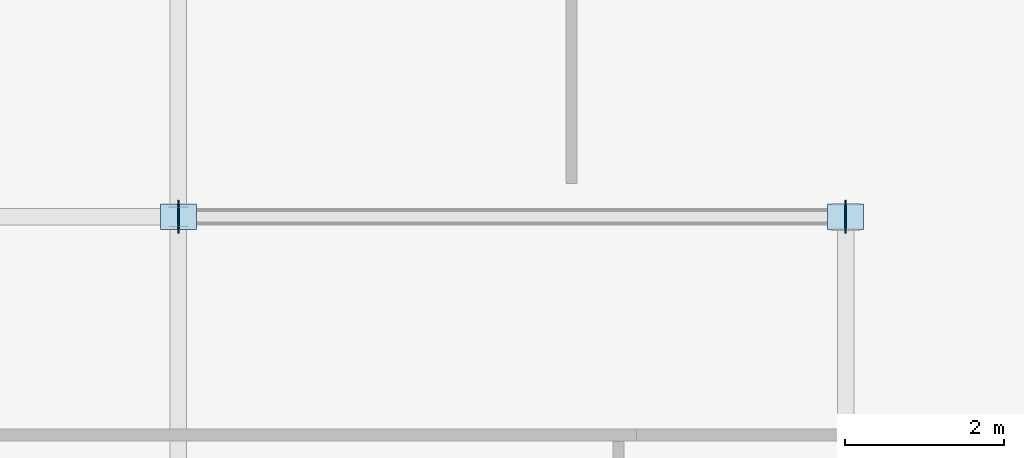
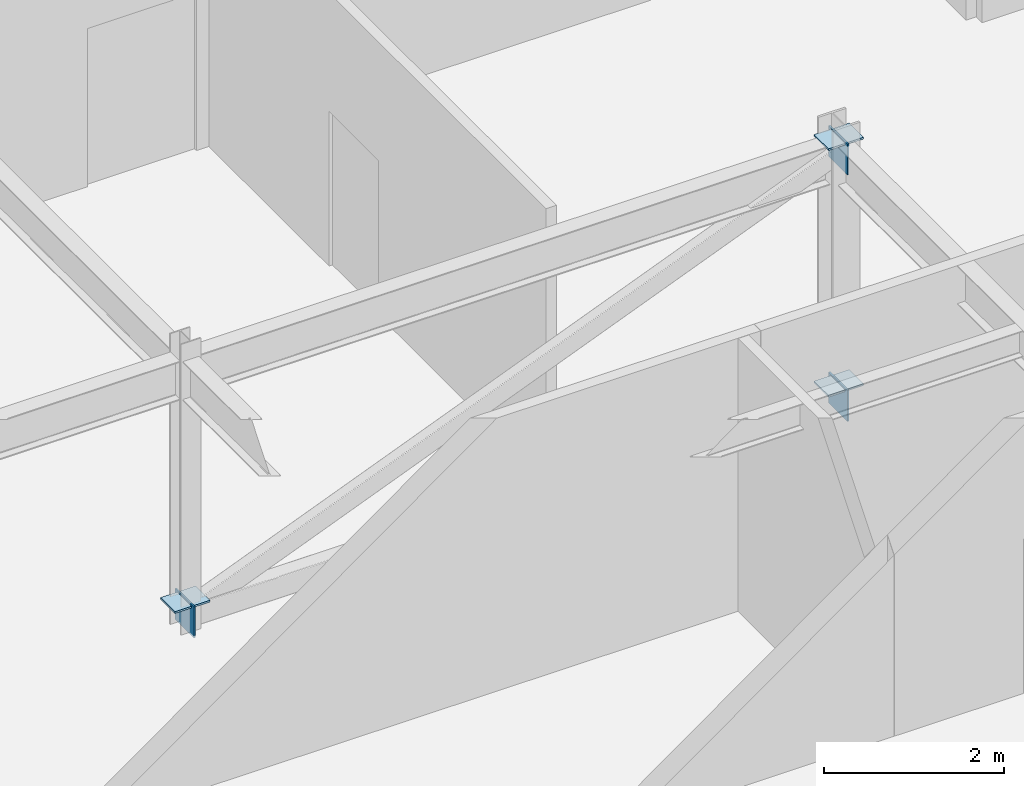
# One storey, part 10 of 16: 6 plates.
"""IFC4 building model written with IfcOpenShell, lengths in metres."""

from ifc_helpers import new_model, si_unit, direction, frame, origin, origin_2d, place, context, subcontext, project, spatial, rectangle, extrude, material, layer, layer_set, type_object, element, save


model = new_model("IFC4")

# Units and contexts
model_context = context("Model", 3, precision=1e-05, world=origin(), true_north=direction((0.0, 1.0)))
body_context = subcontext(model_context, "Body", "Model", "MODEL_VIEW")
ifc_project = project(units=[si_unit("LENGTHUNIT", "METRE"), si_unit("AREAUNIT", "SQUARE_METRE"), si_unit("VOLUMEUNIT", "CUBIC_METRE"), si_unit("PLANEANGLEUNIT", "RADIAN"), si_unit("MASSUNIT", "GRAM", prefix="KILO")], contexts=[model_context])

# Site, building, storey
site_placement = place(None, origin())
site = spatial("IfcSite", under=ifc_project, at=site_placement, CompositionType="ELEMENT")
building_placement = place(site_placement, origin())
building = spatial("IfcBuilding", under=site, at=building_placement, Name="Varnakote Quay Hospital", CompositionType="ELEMENT")
storey_placement = place(building_placement, frame((0.0, 0.0, 272.35009765625)))
storey = spatial("IfcBuildingStorey", under=building, at=storey_placement, Name="L67", CompositionType="ELEMENT", Elevation=272.35009765625)

# Plates
ifc_material_1 = material(Name="Structural steel AS/NZS 3678 Grade 350 (fy 340 MPa)", Category="steel")
ifc_layer_1 = layer(ifc_material_1, 0.02001953125)
ifc_layer_set_1 = layer_set([ifc_layer_1], Name="Structural steel AS/NZS 3678 Grade 350 (fy 340 MPa)")
plate_type_1 = type_object("IfcPlateType", Name="PLT-ENDCAP-420x420x20", PredefinedType="USERDEFINED", material=ifc_layer_set_1)
for number, where, z_axis, x_axis, name in (
    (1, (25.199951171875, 20.39990234375, -0.030029296875), (0.0, 0.0, 1.0), (1.0, 0.0, 0.0), "L67 Hollow Section Sealed End Cap Plate"),
    (2, (33.60009765625, 20.39990234375, -0.030029296875), (0.0, 0.0, 1.0), (1.0, 0.0, 0.0), "L67 Hollow Section Sealed End Cap Plate"),
    (3, (33.60009765625, 20.39990234375, 3.31982421875), (0.0, 0.0, 1.0), (1.0, 0.0, 0.0), "L67 Hollow Section Sealed End Cap Plate"),
):
    element("IfcPlate", number, at=place(storey_placement, frame(where, z_axis=z_axis, x_axis=x_axis)), inside=storey, type_object=plate_type_1, Name=name, ObjectType="END_CAP_PLATE", PredefinedType="USERDEFINED", context=body_context, shape_type="SweptSolid", body=[
        extrude(rectangle(XDim=0.02001953125, YDim=0.419921875, at=origin_2d()), origin(), (0.0, 0.0, 1.0), 0.419921875),
    ])
ifc_material_2 = material(Name="Structural steel AS/NZS 3678 Grade 350 (fy 340 MPa)", Category="steel")
ifc_layer_2 = layer(ifc_material_2, 0.02490234375)
ifc_layer_set_2 = layer_set([ifc_layer_2], Name="Structural steel AS/NZS 3678 Grade 350 (fy 340 MPa)")
plate_type_2 = type_object("IfcPlateType", Name="PLT-GUSSET-450x320x25", PredefinedType="USERDEFINED", material=ifc_layer_set_2)
for number, where, z_axis, x_axis, name in (
    (4, (25.199951171875, 20.39990234375, 0.347412109375), (0.0, 0.0, 1.0), (1.0, 0.0, 0.0), "L67 Truss Concentric Node Gusset Plate"),
    (5, (33.60009765625, 20.39990234375, 0.347412109375), (0.0, 0.0, 1.0), (1.0, 0.0, 0.0), "L67 Truss Concentric Node Gusset Plate"),
    (6, (33.60009765625, 20.39990234375, 3.697509765625), (0.0, 0.0, 1.0), (1.0, 0.0, 0.0), "L67 Truss Concentric Node Gusset Plate"),
):
    element("IfcPlate", number, at=place(storey_placement, frame(where, z_axis=z_axis, x_axis=x_axis)), inside=storey, type_object=plate_type_2, Name=name, ObjectType="GUSSET_PLATE", PredefinedType="USERDEFINED", context=body_context, shape_type="SweptSolid", body=[
        extrude(rectangle(XDim=0.449951171875, YDim=0.320068359375, at=origin_2d()), origin(), (0.0, 0.0, 1.0), 0.02490234375),
    ])

save(model, "model.ifc")
